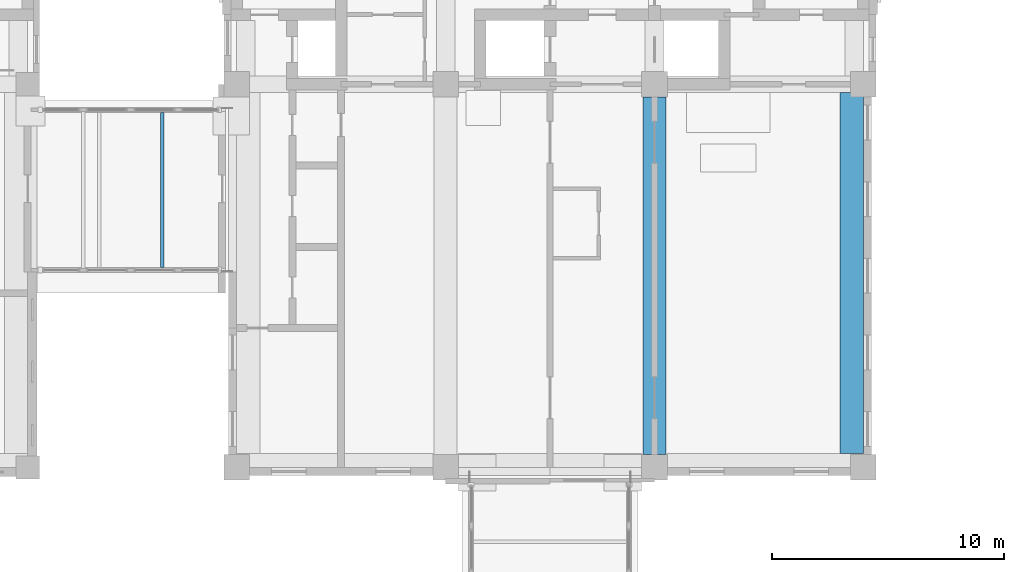
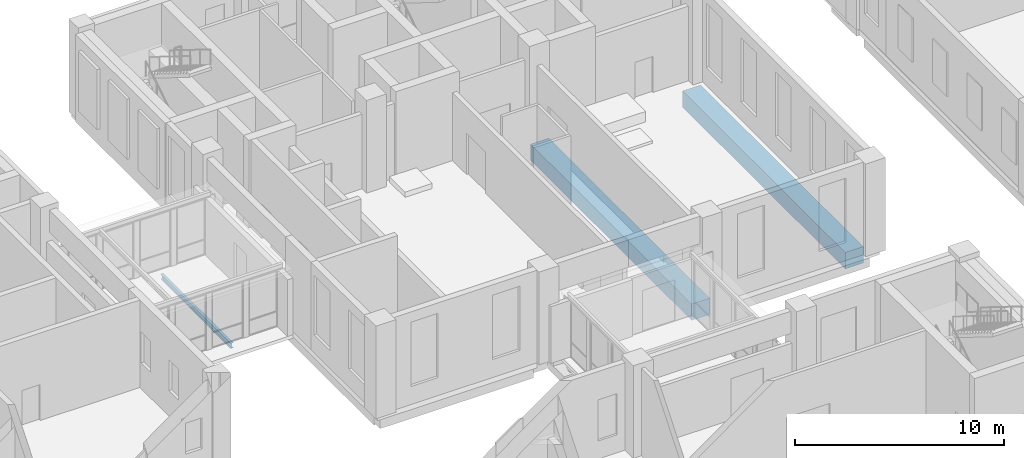
# One storey, part 15 of 52: 3 beams.
"""IFC4 building model written with IfcOpenShell, lengths in metres."""

from ifc_helpers import new_model, si_unit, direction, frame, origin, origin_2d, place, context, subcontext, project, spatial, rectangle, i_section, extrude, material, material_profile, profile_set, type_object, element, save


model = new_model("IFC4")

# Units and contexts
model_context = context("Model", 3, precision=1e-05, world=origin(), true_north=direction((0.0, 1.0)))
body_context = subcontext(model_context, "Body", "Model", "MODEL_VIEW")
ifc_project = project(units=[si_unit("LENGTHUNIT", "METRE"), si_unit("AREAUNIT", "SQUARE_METRE"), si_unit("VOLUMEUNIT", "CUBIC_METRE"), si_unit("PLANEANGLEUNIT", "RADIAN"), si_unit("MASSUNIT", "GRAM", prefix="KILO")], contexts=[model_context])

# Site, building, storey
site_placement = place(None, origin())
site = spatial("IfcSite", under=ifc_project, at=site_placement, CompositionType="ELEMENT")
building_placement = place(site_placement, origin())
building = spatial("IfcBuilding", under=site, at=building_placement, Name="Aurelan Courthouse", CompositionType="ELEMENT")
storey_placement = place(building_placement, frame((0.0, 0.0, 6.60009765625)))
storey = spatial("IfcBuildingStorey", under=building, at=storey_placement, Name="L01", CompositionType="ELEMENT", Elevation=6.60009765625)

# Beams
ifc_material_1 = material(Name="Steel S355", Category="steel")
ifc_material_profile_1 = material_profile(ifc_material_1, i_section(OverallWidth=0.14990234375, OverallDepth=0.300048828125, WebThickness=0.007080078125, FlangeThickness=0.0107421875, FilletRadius=0.014892578125, at=origin_2d()), Name="IPE 300")
ifc_profile_set_1 = profile_set([ifc_material_profile_1], Name="Steel S355")
beam_type_1 = type_object("IfcBeamType", Name="Bridge cross beam IPE 300", PredefinedType="BEAM", material=ifc_profile_set_1)
beam_1_placement = place(storey_placement, frame((32.800048828125, 46.10498046875, -0.35009765625), z_axis=(0.0, 1.0, 0.0), x_axis=(-1.0, 0.0, 0.0)))
element("IfcBeam", 1, at=beam_1_placement, inside=storey, type_object=beam_type_1, Name="Bridge cross beam BX-8", PredefinedType="BEAM", context=body_context, shape_type="SweptSolid", body=[
    extrude(i_section(OverallWidth=0.14990234375, OverallDepth=0.300048828125, WebThickness=0.007080078125, FlangeThickness=0.0107421875, FilletRadius=0.014892578125, at=origin_2d()), origin(), (0.0, 0.0, 1.0), 6.68994140625),
])
ifc_material_2 = material(Name="Concrete C50", Category="concrete")
ifc_material_profile_2 = material_profile(ifc_material_2, rectangle(XDim=1.0, YDim=0.949951171875, at=origin_2d()), Name="RC 1000 x 950")
ifc_profile_set_2 = profile_set([ifc_material_profile_2], Name="Concrete C50")
beam_type_2 = type_object("IfcBeamType", Name="PT girder 1000 x 950", PredefinedType="BEAM", material=ifc_profile_set_2)
beam_2_placement = place(storey_placement, frame((54.0, 38.050048828125, -0.775146484375), z_axis=(0.0, 1.0, 0.0), x_axis=(-1.0, 0.0, 0.0)))
element("IfcBeam", 2, at=beam_2_placement, inside=storey, type_object=beam_type_2, Name="Girder GB-7DE", PredefinedType="BEAM", context=body_context, shape_type="SweptSolid", body=[
    extrude(rectangle(XDim=1.0, YDim=0.949951171875, at=origin_2d()), origin(), (0.0, 0.0, 1.0), 15.39990234375),
])
beam_3_placement = place(storey_placement, frame((62.5, 38.10009765625, -0.775146484375), z_axis=(0.0, 1.0, 0.0), x_axis=(-1.0, 0.0, 0.0)))
element("IfcBeam", 3, at=beam_3_placement, inside=storey, type_object=beam_type_2, Name="Girder GB-8DE-E", PredefinedType="BEAM", context=body_context, shape_type="SweptSolid", body=[
    extrude(rectangle(XDim=1.0, YDim=0.949951171875, at=origin_2d()), origin(), (0.0, 0.0, 1.0), 15.5498046875),
])

save(model, "model.ifc")
